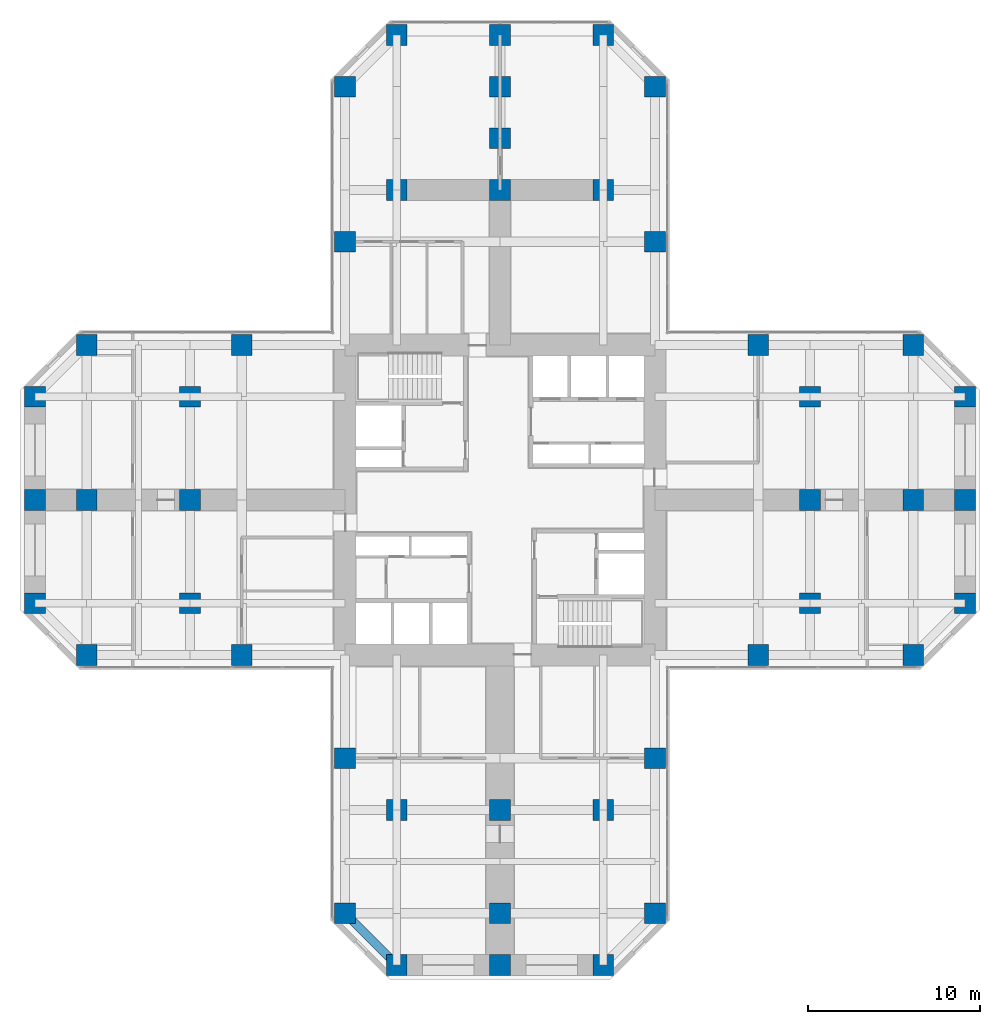
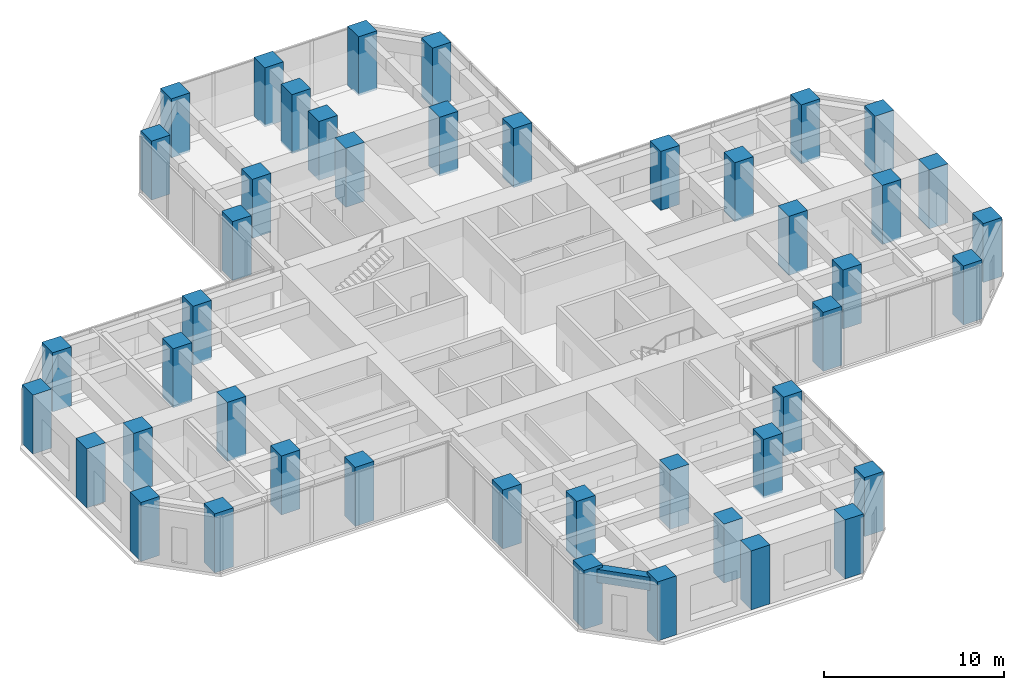
# One storey, part 1 of 12: 45 columns, 1 beam.
"""IFC4 building model written with IfcOpenShell, lengths in metres."""

from ifc_helpers import new_model, si_unit, direction, frame, origin, origin_2d, place, context, subcontext, project, spatial, rectangle, extrude, material, material_profile, profile_set, type_object, element, save


model = new_model("IFC4")

# Units and contexts
model_context = context("Model", 3, precision=1e-05, world=origin(), true_north=direction((0.0, 1.0)))
body_context = subcontext(model_context, "Body", "Model", "MODEL_VIEW")
ifc_project = project(units=[si_unit("LENGTHUNIT", "METRE"), si_unit("AREAUNIT", "SQUARE_METRE"), si_unit("VOLUMEUNIT", "CUBIC_METRE"), si_unit("PLANEANGLEUNIT", "RADIAN"), si_unit("MASSUNIT", "GRAM", prefix="KILO")], contexts=[model_context])

# Site, building, storey
site_placement = place(None, origin())
site = spatial("IfcSite", under=ifc_project, at=site_placement, CompositionType="ELEMENT")
building_placement = place(site_placement, origin())
building = spatial("IfcBuilding", under=site, at=building_placement, Name="Torre Cruceta", CompositionType="ELEMENT")
storey_placement = place(building_placement, frame((0.0, 0.0, 43.5)))
storey = spatial("IfcBuildingStorey", under=building, at=storey_placement, Name="L10", CompositionType="ELEMENT", Elevation=43.5)

# Columns
ifc_material_1 = material(Name="Concrete G60 (fck 60 MPa)", Category="concrete")
ifc_material_profile_1 = material_profile(ifc_material_1, rectangle(XDim=1.199951171875, YDim=1.199951171875, at=origin_2d()), Name="RC 1200X1200")
ifc_profile_set_1 = profile_set([ifc_material_profile_1], Name="Concrete G60 (fck 60 MPa)")
column_type = type_object("IfcColumnType", Name="COLUMN RC 1200X1200", PredefinedType="COLUMN", material=ifc_profile_set_1)
for number, where, z_axis, x_axis, name in (
    (1, (9.0, 15.0, 0.0), (0.0, 0.0, 1.0), (1.0, 0.0, 0.0), "C3 L10 N side"),
    (2, (9.0, 24.0, 0.0), (0.0, 0.0, 1.0), (1.0, 0.0, 0.0), "C3 L10 N chamfer"),
    (3, (-9.0, 15.0, 0.0), (0.0, 0.0, 1.0), (1.0, 0.0, 0.0), "C3 L10 N side"),
    (4, (-9.0, 24.0, 0.0), (0.0, 0.0, 1.0), (1.0, 0.0, 0.0), "C3 L10 N chamfer"),
    (5, (6.0, 27.0, 0.0), (0.0, 0.0, 1.0), (1.0, 0.0, 0.0), "C3 L10 N tip"),
    (6, (0.0, 27.0, 0.0), (0.0, 0.0, 1.0), (1.0, 0.0, 0.0), "C3 L10 N tip"),
    (7, (-6.0, 27.0, 0.0), (0.0, 0.0, 1.0), (1.0, 0.0, 0.0), "C3 L10 N tip"),
    (8, (15.0, -9.0, 0.0), (0.0, 0.0, 1.0), (1.0, 0.0, 0.0), "C3 L10 E side"),
    (9, (24.0, -9.0, 0.0), (0.0, 0.0, 1.0), (1.0, 0.0, 0.0), "C3 L10 E chamfer"),
    (10, (15.0, 9.0, 0.0), (0.0, 0.0, 1.0), (1.0, 0.0, 0.0), "C3 L10 E side"),
    (11, (24.0, 9.0, 0.0), (0.0, 0.0, 1.0), (1.0, 0.0, 0.0), "C3 L10 E chamfer"),
    (12, (27.0, -6.0, 0.0), (0.0, 0.0, 1.0), (1.0, 0.0, 0.0), "C3 L10 E tip"),
    (13, (27.0, 0.0, 0.0), (0.0, 0.0, 1.0), (1.0, 0.0, 0.0), "C3 L10 E tip"),
    (14, (27.0, 6.0, 0.0), (0.0, 0.0, 1.0), (1.0, 0.0, 0.0), "C3 L10 E tip"),
    (15, (-9.0, -15.0, 0.0), (0.0, 0.0, 1.0), (1.0, 0.0, 0.0), "C3 L10 S side"),
    (16, (-9.0, -24.0, 0.0), (0.0, 0.0, 1.0), (1.0, 0.0, 0.0), "C3 L10 S chamfer"),
    (17, (9.0, -15.0, 0.0), (0.0, 0.0, 1.0), (1.0, 0.0, 0.0), "C3 L10 S side"),
    (18, (9.0, -24.0, 0.0), (0.0, 0.0, 1.0), (1.0, 0.0, 0.0), "C3 L10 S chamfer"),
    (19, (-6.0, -27.0, 0.0), (0.0, 0.0, 1.0), (1.0, 0.0, 0.0), "C3 L10 S tip"),
    (20, (0.0, -27.0, 0.0), (0.0, 0.0, 1.0), (1.0, 0.0, 0.0), "C3 L10 S tip"),
    (21, (6.0, -27.0, 0.0), (0.0, 0.0, 1.0), (1.0, 0.0, 0.0), "C3 L10 S tip"),
    (22, (-15.0, 9.0, 0.0), (0.0, 0.0, 1.0), (1.0, 0.0, 0.0), "C3 L10 W side"),
    (23, (-24.0, 9.0, 0.0), (0.0, 0.0, 1.0), (1.0, 0.0, 0.0), "C3 L10 W chamfer"),
    (24, (-15.0, -9.0, 0.0), (0.0, 0.0, 1.0), (1.0, 0.0, 0.0), "C3 L10 W side"),
    (25, (-24.0, -9.0, 0.0), (0.0, 0.0, 1.0), (1.0, 0.0, 0.0), "C3 L10 W chamfer"),
    (26, (-27.0, 6.0, 0.0), (0.0, 0.0, 1.0), (1.0, 0.0, 0.0), "C3 L10 W tip"),
    (27, (-27.0, 0.0, 0.0), (0.0, 0.0, 1.0), (1.0, 0.0, 0.0), "C3 L10 W tip"),
    (28, (-27.0, -6.0, 0.0), (0.0, 0.0, 1.0), (1.0, 0.0, 0.0), "C3 L10 W tip"),
    (29, (6.0, 18.0, 0.0), (0.0, 0.0, 1.0), (1.0, 0.0, 0.0), "C3 L10 N interior"),
    (30, (0.0, 18.0, 0.0), (0.0, 0.0, 1.0), (1.0, 0.0, 0.0), "C3 L10 N interior"),
    (31, (-6.0, 18.0, 0.0), (0.0, 0.0, 1.0), (1.0, 0.0, 0.0), "C3 L10 N interior"),
    (32, (0.0, 21.0, 0.0), (0.0, 0.0, 1.0), (1.0, 0.0, 0.0), "C3 L10 N interior"),
    (33, (0.0, 24.0, 0.0), (0.0, 0.0, 1.0), (1.0, 0.0, 0.0), "C3 L10 N interior"),
    (34, (18.0, -6.0, 0.0), (0.0, 0.0, 1.0), (1.0, 0.0, 0.0), "C3 L10 E interior"),
    (35, (18.0, 0.0, 0.0), (0.0, 0.0, 1.0), (1.0, 0.0, 0.0), "C3 L10 E interior"),
    (36, (18.0, 6.0, 0.0), (0.0, 0.0, 1.0), (1.0, 0.0, 0.0), "C3 L10 E interior"),
    (37, (24.0, 0.0, 0.0), (0.0, 0.0, 1.0), (1.0, 0.0, 0.0), "C3 L10 E interior"),
    (38, (-6.0, -18.0, 0.0), (0.0, 0.0, 1.0), (1.0, 0.0, 0.0), "C3 L10 S interior"),
    (39, (0.0, -18.0, 0.0), (0.0, 0.0, 1.0), (1.0, 0.0, 0.0), "C3 L10 S interior"),
    (40, (6.0, -18.0, 0.0), (0.0, 0.0, 1.0), (1.0, 0.0, 0.0), "C3 L10 S interior"),
    (41, (0.0, -24.0, 0.0), (0.0, 0.0, 1.0), (1.0, 0.0, 0.0), "C3 L10 S interior"),
    (42, (-18.0, 6.0, 0.0), (0.0, 0.0, 1.0), (1.0, 0.0, 0.0), "C3 L10 W interior"),
    (43, (-18.0, 0.0, 0.0), (0.0, 0.0, 1.0), (1.0, 0.0, 0.0), "C3 L10 W interior"),
    (44, (-18.0, -6.0, 0.0), (0.0, 0.0, 1.0), (1.0, 0.0, 0.0), "C3 L10 W interior"),
    (45, (-24.0, 0.0, 0.0), (0.0, 0.0, 1.0), (1.0, 0.0, 0.0), "C3 L10 W interior"),
):
    element("IfcColumn", number, at=place(storey_placement, frame(where, z_axis=z_axis, x_axis=x_axis)), inside=storey, type_object=column_type, Name=name, PredefinedType="COLUMN", context=body_context, shape_type="SweptSolid", body=[
        extrude(rectangle(XDim=1.199951171875, YDim=1.199951171875, at=origin_2d()), origin(), (0.0, 0.0, 1.0), 4.0),
    ])

# Beam
ifc_material_2 = material(Name="Concrete G60 (fck 60 MPa)", Category="concrete")
ifc_material_profile_2 = material_profile(ifc_material_2, rectangle(XDim=0.5, YDim=0.89990234375, at=origin_2d()), Name="RC 500X900")
ifc_profile_set_2 = profile_set([ifc_material_profile_2], Name="Concrete G60 (fck 60 MPa)")
beam_type = type_object("IfcBeamType", Name="SPANDREL BEAM RC 500X900", PredefinedType="SPANDREL", material=ifc_profile_set_2)
beam_placement = place(storey_placement, frame((-9.0, -24.0, 3.35009765625), z_axis=(0.707106781187, -0.707106781187, 0.0), x_axis=(0.707106781187, 0.707106781187, 0.0)))
element("IfcBeam", 46, at=beam_placement, inside=storey, type_object=beam_type, Name="SB4 L10 S side- 5", PredefinedType="SPANDREL", context=body_context, shape_type="SweptSolid", body=[
    extrude(rectangle(XDim=0.5, YDim=0.89990234375, at=origin_2d()), origin(), (0.0, 0.0, 1.0), 4.24267578125),
])

save(model, "model.ifc")
